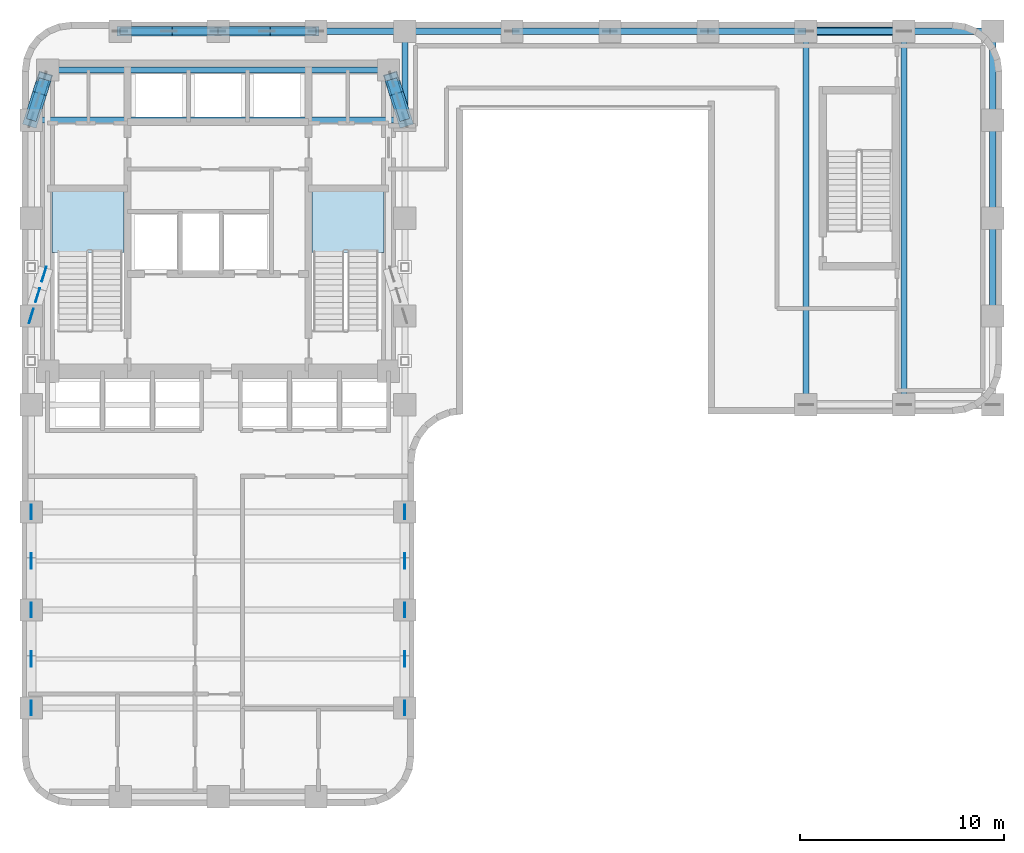
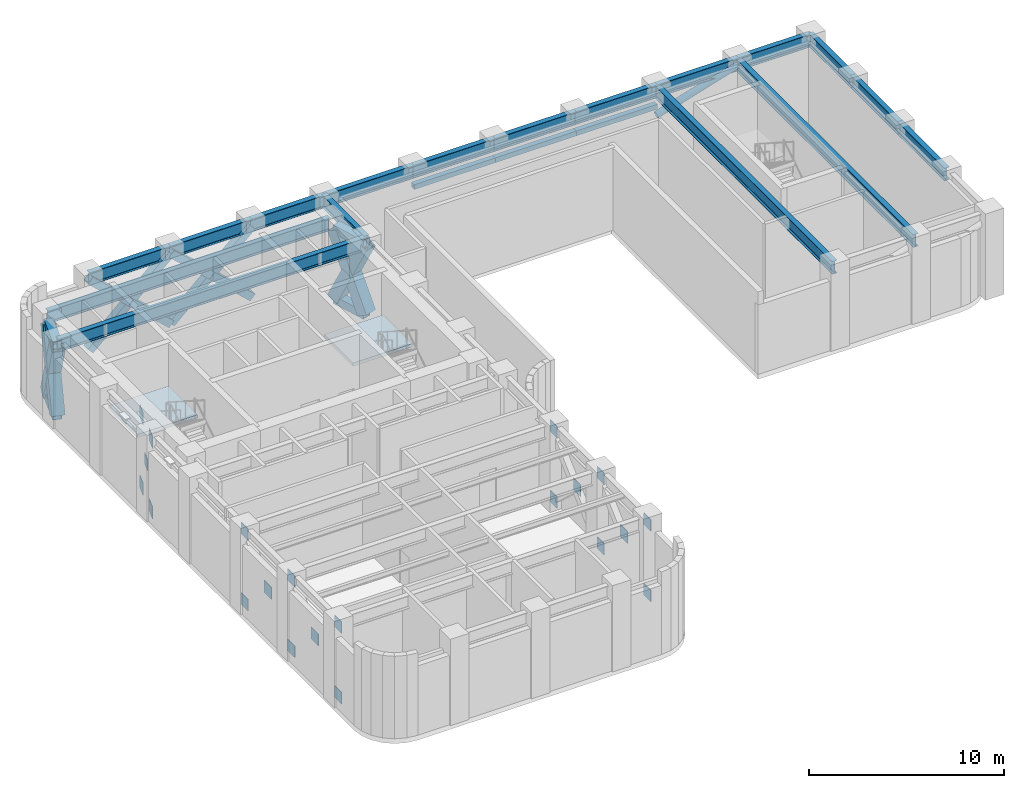
# One storey, part 2 of 9: 21 plates, 20 members, 17 beams, 2 slabs, 2 elements without a shape of their own.
"""IFC4 building model written with IfcOpenShell, lengths in metres."""

from ifc_helpers import new_model, si_unit, direction, frame, origin, origin_2d, place, context, subcontext, project, spatial, polyline, rectangle, hollow_rectangle, hollow_circle, i_section, outline, extrude, material, layer, layer_set, material_profile, profile_set, type_object, element, aggregate, save


model = new_model("IFC4")

# Units and contexts
model_context = context("Model", 3, precision=1e-05, world=origin(), true_north=direction((0.0, 1.0)))
body_context = subcontext(model_context, "Body", "Model", "MODEL_VIEW")
ifc_project = project(units=[si_unit("LENGTHUNIT", "METRE"), si_unit("AREAUNIT", "SQUARE_METRE"), si_unit("VOLUMEUNIT", "CUBIC_METRE"), si_unit("PLANEANGLEUNIT", "RADIAN"), si_unit("MASSUNIT", "GRAM", prefix="KILO")], contexts=[model_context])

# Site, building, storey
site_placement = place(None, origin())
site = spatial("IfcSite", under=ifc_project, at=site_placement, CompositionType="ELEMENT")
building_placement = place(site_placement, origin())
building = spatial("IfcBuilding", under=site, at=building_placement, Name="Orvandelia Arch Residences", CompositionType="ELEMENT")
storey_placement = place(building_placement, frame((0.0, 0.0, 101.800048828125)))
storey = spatial("IfcBuildingStorey", under=building, at=storey_placement, Name="L26", CompositionType="ELEMENT", Elevation=101.800048828125)

# Beams
ifc_material_1 = material(Name="Structural Steel SM355 (355 MPa)", Category="steel")
ifc_material_profile_1 = material_profile(ifc_material_1, i_section(OverallWidth=0.300048828125, OverallDepth=0.800048828125, WebThickness=0.013916015625, FlangeThickness=0.02587890625, FilletRadius=0.02587890625, at=origin_2d()), Name="Structural Steel SM355 (355 MPa)", Category="steel")
ifc_profile_set_1 = profile_set([ifc_material_profile_1], Name="Structural Steel SM355 (355 MPa)")
beam_type = type_object("IfcBeamType", Name="BM-GRD-H800", PredefinedType="BEAM", material=ifc_profile_set_1)
beam_1_placement = place(storey_placement, frame((23.550048828125, 43.199951171875, 4.760009765625), z_axis=(0.0, 1.0, 0.0), x_axis=(-1.0, 0.0, 0.0)))
element("IfcBeam", 1, at=beam_1_placement, inside=storey, type_object=beam_type, Name="Structural Frame Beam L26-NS-015", PredefinedType="BEAM", context=body_context, shape_type="SweptSolid", body=[
    extrude(i_section(OverallWidth=0.300048828125, OverallDepth=0.800048828125, WebThickness=0.013916015625, FlangeThickness=0.02587890625, FilletRadius=0.02587890625, at=origin_2d()), origin(), (0.0, 0.0, 1.0), 4.35009765625),
])
for number, where, z_axis, x_axis, name in (
    (2, (43.199951171875, 29.25, 4.760009765625), (0.0, 1.0, 0.0), (-1.0, 0.0, 0.0), "Structural Frame Beam L26-NS-016"),
    (3, (48.0, 29.25, 4.760009765625), (0.0, 1.0, 0.0), (-1.0, 0.0, 0.0), "Structural Frame Beam L26-NS-017"),
):
    element("IfcBeam", number, at=place(storey_placement, frame(where, z_axis=z_axis, x_axis=x_axis)), inside=storey, type_object=beam_type, Name=name, PredefinedType="BEAM", context=body_context, shape_type="SweptSolid", body=[
        extrude(i_section(OverallWidth=0.300048828125, OverallDepth=0.800048828125, WebThickness=0.013916015625, FlangeThickness=0.02587890625, FilletRadius=0.02587890625, at=origin_2d()), origin(), (0.0, 0.0, 1.0), 18.300048828125),
    ])
beam_2_placement = place(storey_placement, frame((52.35009765625, 33.60009765625, 4.760009765625), z_axis=(0.0, 1.0, 0.0), x_axis=(-1.0, 0.0, 0.0)))
element("IfcBeam", 4, at=beam_2_placement, inside=storey, type_object=beam_type, Name="Structural Frame Beam L26-NS-019", PredefinedType="BEAM", context=body_context, shape_type="SweptSolid", body=[
    extrude(i_section(OverallWidth=0.300048828125, OverallDepth=0.800048828125, WebThickness=0.013916015625, FlangeThickness=0.02587890625, FilletRadius=0.02587890625, at=origin_2d()), origin(), (0.0, 0.0, 1.0), 4.7998046875),
])
beam_3_placement = place(storey_placement, frame((52.35009765625, 38.39990234375, 4.760009765625), z_axis=(0.0, 1.0, 0.0), x_axis=(-1.0, 0.0, 0.0)))
element("IfcBeam", 5, at=beam_3_placement, inside=storey, type_object=beam_type, Name="Structural Frame Beam L26-NS-020", PredefinedType="BEAM", context=body_context, shape_type="SweptSolid", body=[
    extrude(i_section(OverallWidth=0.300048828125, OverallDepth=0.800048828125, WebThickness=0.013916015625, FlangeThickness=0.02587890625, FilletRadius=0.02587890625, at=origin_2d()), origin(), (0.0, 0.0, 1.0), 4.800048828125),
])
beam_4_placement = place(storey_placement, frame((52.35009765625, 43.199951171875, 4.760009765625), z_axis=(0.0, 1.0, 0.0), x_axis=(-1.0, 0.0, 0.0)))
element("IfcBeam", 6, at=beam_4_placement, inside=storey, type_object=beam_type, Name="Structural Frame Beam L26-NS-021", PredefinedType="BEAM", context=body_context, shape_type="SweptSolid", body=[
    extrude(i_section(OverallWidth=0.300048828125, OverallDepth=0.800048828125, WebThickness=0.013916015625, FlangeThickness=0.02587890625, FilletRadius=0.02587890625, at=origin_2d()), origin(), (0.0, 0.0, 1.0), 4.35009765625),
])
beam_5_placement = place(storey_placement, frame((5.25, 43.199951171875, 4.760009765625), z_axis=(1.0, 0.0, 0.0), x_axis=(0.0, 1.0, 0.0)))
element("IfcBeam", 7, at=beam_5_placement, inside=storey, type_object=beam_type, Name="Structural Frame Girder L26-EW-033", PredefinedType="BEAM", context=body_context, shape_type="SweptSolid", body=[
    extrude(i_section(OverallWidth=0.300048828125, OverallDepth=0.800048828125, WebThickness=0.013916015625, FlangeThickness=0.02587890625, FilletRadius=0.02587890625, at=origin_2d()), origin(), (0.0, 0.0, 1.0), 18.300048828125),
])
beam_6_placement = place(storey_placement, frame((6.050048828125, 45.64990234375, 4.760009765625), z_axis=(1.0, 0.0, 0.0), x_axis=(0.0, 1.0, 0.0)))
element("IfcBeam", 8, at=beam_6_placement, inside=storey, type_object=beam_type, Name="Structural Frame Girder L26-EW-034", PredefinedType="BEAM", context=body_context, shape_type="SweptSolid", body=[
    extrude(i_section(OverallWidth=0.300048828125, OverallDepth=0.800048828125, WebThickness=0.013916015625, FlangeThickness=0.02587890625, FilletRadius=0.02587890625, at=origin_2d()), origin(), (0.0, 0.0, 1.0), 16.699951171875),
])
beam_7_placement = place(storey_placement, frame((9.60009765625, 47.550048828125, 4.760009765625), z_axis=(1.0, 0.0, 0.0), x_axis=(0.0, 1.0, 0.0)))
element("IfcBeam", 9, at=beam_7_placement, inside=storey, type_object=beam_type, Name="Structural Frame Girder L26-EW-035", PredefinedType="BEAM", context=body_context, shape_type="SweptSolid", body=[
    extrude(i_section(OverallWidth=0.300048828125, OverallDepth=0.800048828125, WebThickness=0.013916015625, FlangeThickness=0.02587890625, FilletRadius=0.02587890625, at=origin_2d()), origin(), (0.0, 0.0, 1.0), 4.7998046875),
])
beam_8_placement = place(storey_placement, frame((14.39990234375, 47.550048828125, 4.760009765625), z_axis=(1.0, 0.0, 0.0), x_axis=(0.0, 1.0, 0.0)))
element("IfcBeam", 10, at=beam_8_placement, inside=storey, type_object=beam_type, Name="Structural Frame Girder L26-EW-036", PredefinedType="BEAM", context=body_context, shape_type="SweptSolid", body=[
    extrude(i_section(OverallWidth=0.300048828125, OverallDepth=0.800048828125, WebThickness=0.013916015625, FlangeThickness=0.02587890625, FilletRadius=0.02587890625, at=origin_2d()), origin(), (0.0, 0.0, 1.0), 4.800048828125),
])
beam_9_placement = place(storey_placement, frame((19.199951171875, 47.550048828125, 4.760009765625), z_axis=(1.0, 0.0, 0.0), x_axis=(0.0, 1.0, 0.0)))
element("IfcBeam", 11, at=beam_9_placement, inside=storey, type_object=beam_type, Name="Structural Frame Girder L26-EW-037", PredefinedType="BEAM", context=body_context, shape_type="SweptSolid", body=[
    extrude(i_section(OverallWidth=0.300048828125, OverallDepth=0.800048828125, WebThickness=0.013916015625, FlangeThickness=0.02587890625, FilletRadius=0.02587890625, at=origin_2d()), origin(), (0.0, 0.0, 1.0), 4.35009765625),
])
beam_10_placement = place(storey_placement, frame((23.550048828125, 47.550048828125, 4.760009765625), z_axis=(1.0, 0.0, 0.0), x_axis=(0.0, 1.0, 0.0)))
element("IfcBeam", 12, at=beam_10_placement, inside=storey, type_object=beam_type, Name="Structural Frame Girder L26-EW-038", PredefinedType="BEAM", context=body_context, shape_type="SweptSolid", body=[
    extrude(i_section(OverallWidth=0.300048828125, OverallDepth=0.800048828125, WebThickness=0.013916015625, FlangeThickness=0.02587890625, FilletRadius=0.02587890625, at=origin_2d()), origin(), (0.0, 0.0, 1.0), 5.25),
])
beam_11_placement = place(storey_placement, frame((28.800048828125, 47.550048828125, 4.760009765625), z_axis=(1.0, 0.0, 0.0), x_axis=(0.0, 1.0, 0.0)))
element("IfcBeam", 13, at=beam_11_placement, inside=storey, type_object=beam_type, Name="Structural Frame Girder L26-EW-039", PredefinedType="BEAM", context=body_context, shape_type="SweptSolid", body=[
    extrude(i_section(OverallWidth=0.300048828125, OverallDepth=0.800048828125, WebThickness=0.013916015625, FlangeThickness=0.02587890625, FilletRadius=0.02587890625, at=origin_2d()), origin(), (0.0, 0.0, 1.0), 4.800048828125),
])
beam_12_placement = place(storey_placement, frame((33.60009765625, 47.550048828125, 4.760009765625), z_axis=(1.0, 0.0, 0.0), x_axis=(0.0, 1.0, 0.0)))
element("IfcBeam", 14, at=beam_12_placement, inside=storey, type_object=beam_type, Name="Structural Frame Girder L26-EW-040", PredefinedType="BEAM", context=body_context, shape_type="SweptSolid", body=[
    extrude(i_section(OverallWidth=0.300048828125, OverallDepth=0.800048828125, WebThickness=0.013916015625, FlangeThickness=0.02587890625, FilletRadius=0.02587890625, at=origin_2d()), origin(), (0.0, 0.0, 1.0), 4.7998046875),
])
for number, where, z_axis, x_axis, name in (
    (15, (38.39990234375, 47.550048828125, 4.760009765625), (1.0, 0.0, 0.0), (0.0, 1.0, 0.0), "Structural Frame Girder L26-EW-041"),
    (16, (43.199951171875, 47.550048828125, 4.760009765625), (1.0, 0.0, 0.0), (0.0, 1.0, 0.0), "Structural Frame Girder L26-EW-042"),
):
    element("IfcBeam", number, at=place(storey_placement, frame(where, z_axis=z_axis, x_axis=x_axis)), inside=storey, type_object=beam_type, Name=name, PredefinedType="BEAM", context=body_context, shape_type="SweptSolid", body=[
        extrude(i_section(OverallWidth=0.300048828125, OverallDepth=0.800048828125, WebThickness=0.013916015625, FlangeThickness=0.02587890625, FilletRadius=0.02587890625, at=origin_2d()), origin(), (0.0, 0.0, 1.0), 4.800048828125),
    ])
beam_13_placement = place(storey_placement, frame((48.0, 47.550048828125, 4.760009765625), z_axis=(1.0, 0.0, 0.0), x_axis=(0.0, 1.0, 0.0)))
element("IfcBeam", 17, at=beam_13_placement, inside=storey, type_object=beam_type, Name="Structural Frame Girder L26-EW-043", PredefinedType="BEAM", context=body_context, shape_type="SweptSolid", body=[
    extrude(i_section(OverallWidth=0.300048828125, OverallDepth=0.800048828125, WebThickness=0.013916015625, FlangeThickness=0.02587890625, FilletRadius=0.02587890625, at=origin_2d()), origin(), (0.0, 0.0, 1.0), 4.35009765625),
])

# Members
ifc_material_2 = material(Name="Structural Steel HSA650 (650 MPa)", Category="steel")
ifc_material_profile_2 = material_profile(ifc_material_2, hollow_rectangle(XDim=0.449951171875, YDim=0.449951171875, WallThickness=0.02490234375, at=origin_2d()), Name="Structural Steel HSA650 (650 MPa)", Category="steel")
ifc_profile_set_2 = profile_set([ifc_material_profile_2], Name="Structural Steel HSA650 (650 MPa)")
member_type_1 = type_object("IfcMemberType", Name="MBR-BELT-DIAG", PredefinedType="BRACE", material=ifc_profile_set_2)
member_1_placement = place(storey_placement, frame((9.60009765625, 47.550048828125, 0.300048828125), z_axis=(0.736382493165, 0.0, 0.676565461548), x_axis=(0.0, 1.0, 0.0)))
element("IfcMember", 18, at=member_1_placement, inside=storey, type_object=member_type_1, Name="Perimeter Belt Truss Diagonal L26-BN-1-1", PredefinedType="BRACE", context=body_context, shape_type="SweptSolid", body=[
    extrude(hollow_rectangle(XDim=0.449951171875, YDim=0.449951171875, WallThickness=0.02490234375, at=origin_2d()), origin(), (0.0, 0.0, 1.0), 6.51806640625),
])
for number, where, z_axis, x_axis, name in (
    (19, (14.39990234375, 47.550048828125, 0.300048828125), (-0.73638831936, 0.0, 0.676559120189), (0.0, -1.0, 0.0), "Perimeter Belt Truss Split Diagonal Lower L26-BN-1-2A"),
    (20, (11.989013671875, 47.550048828125, 2.51513671875), (-0.73638831936, 0.0, 0.676559120189), (0.0, -1.0, 0.0), "Perimeter Belt Truss Split Diagonal Upper L26-BN-1-2B"),
):
    element("IfcMember", number, at=place(storey_placement, frame(where, z_axis=z_axis, x_axis=x_axis)), inside=storey, type_object=member_type_1, Name=name, PredefinedType="BRACE", context=body_context, shape_type="SweptSolid", body=[
        extrude(hollow_rectangle(XDim=0.449951171875, YDim=0.449951171875, WallThickness=0.02490234375, at=origin_2d()), origin(), (0.0, 0.0, 1.0), 3.244140625),
    ])
member_2_placement = place(storey_placement, frame((14.39990234375, 47.550048828125, 0.300048828125), z_axis=(0.736399637539, 0.0, 0.676546800919), x_axis=(0.0, 1.0, 0.0)))
element("IfcMember", 21, at=member_2_placement, inside=storey, type_object=member_type_1, Name="Perimeter Belt Truss Diagonal L26-BN-2-1", PredefinedType="BRACE", context=body_context, shape_type="SweptSolid", body=[
    extrude(hollow_rectangle(XDim=0.449951171875, YDim=0.449951171875, WallThickness=0.02490234375, at=origin_2d()), origin(), (0.0, 0.0, 1.0), 6.518310546875),
])
member_3_placement = place(storey_placement, frame((19.199951171875, 47.550048828125, 0.300048828125), z_axis=(-0.73638831936, 0.0, 0.676559120189), x_axis=(0.0, -1.0, 0.0)))
element("IfcMember", 22, at=member_3_placement, inside=storey, type_object=member_type_1, Name="Perimeter Belt Truss Split Diagonal Lower L26-BN-2-2A", PredefinedType="BRACE", context=body_context, shape_type="SweptSolid", body=[
    extrude(hollow_rectangle(XDim=0.449951171875, YDim=0.449951171875, WallThickness=0.02490234375, at=origin_2d()), origin(), (0.0, 0.0, 1.0), 3.244140625),
])
member_4_placement = place(storey_placement, frame((16.7890625, 47.550048828125, 2.51513671875), z_axis=(-0.736422763985, 0.0, 0.676521627655), x_axis=(0.0, -1.0, 0.0)))
element("IfcMember", 23, at=member_4_placement, inside=storey, type_object=member_type_1, Name="Perimeter Belt Truss Split Diagonal Upper L26-BN-2-2B", PredefinedType="BRACE", context=body_context, shape_type="SweptSolid", body=[
    extrude(hollow_rectangle(XDim=0.449951171875, YDim=0.449951171875, WallThickness=0.02490234375, at=origin_2d()), origin(), (0.0, 0.0, 1.0), 3.244384765625),
])
ifc_material_profile_3 = material_profile(ifc_material_1, hollow_rectangle(XDim=0.300048828125, YDim=0.300048828125, WallThickness=0.01611328125, at=origin_2d()), Name="Structural Steel SM355 (355 MPa)", Category="steel")
ifc_profile_set_3 = profile_set([ifc_material_profile_3], Name="Structural Steel SM355 (355 MPa)")
member_type_2 = type_object("IfcMemberType", Name="MBR-BRG-STRUT", PredefinedType="STRUT", material=ifc_profile_set_3)
member_5_placement = place(storey_placement, frame((28.800048828125, 47.550048828125, 3.800048828125), z_axis=(1.0, 0.0, 0.0), x_axis=(0.0, 1.0, 0.0)))
element("IfcMember", 24, at=member_5_placement, inside=storey, type_object=member_type_2, Name="Mechanical Deck Collector Strut BS-1", PredefinedType="STRUT", context=body_context, shape_type="SweptSolid", body=[
    extrude(hollow_rectangle(XDim=0.300048828125, YDim=0.300048828125, WallThickness=0.01611328125, at=origin_2d()), origin(), (0.0, 0.0, 1.0), 4.800048828125),
])
member_6_placement = place(storey_placement, frame((33.60009765625, 47.550048828125, 3.800048828125), z_axis=(1.0, 0.0, 0.0), x_axis=(0.0, 1.0, 0.0)))
element("IfcMember", 25, at=member_6_placement, inside=storey, type_object=member_type_2, Name="Mechanical Deck Collector Strut BS-2", PredefinedType="STRUT", context=body_context, shape_type="SweptSolid", body=[
    extrude(hollow_rectangle(XDim=0.300048828125, YDim=0.300048828125, WallThickness=0.01611328125, at=origin_2d()), origin(), (0.0, 0.0, 1.0), 4.7998046875),
])
member_7_placement = place(storey_placement, frame((38.39990234375, 47.550048828125, 3.800048828125), z_axis=(1.0, 0.0, 0.0), x_axis=(0.0, 1.0, 0.0)))
element("IfcMember", 26, at=member_7_placement, inside=storey, type_object=member_type_2, Name="Mechanical Deck Collector Strut BS-3", PredefinedType="STRUT", context=body_context, shape_type="SweptSolid", body=[
    extrude(hollow_rectangle(XDim=0.300048828125, YDim=0.300048828125, WallThickness=0.01611328125, at=origin_2d()), origin(), (0.0, 0.0, 1.0), 4.800048828125),
])
ifc_material_profile_4 = material_profile(ifc_material_2, hollow_circle(Radius=0.203125, WallThickness=0.01611328125, at=origin_2d()), Name="Structural Steel HSA650 (650 MPa)", Category="steel")
ifc_profile_set_4 = profile_set([ifc_material_profile_4], Name="Structural Steel HSA650 (650 MPa)")
member_type_3 = type_object("IfcMemberType", Name="MBR-NOTCH-STRUT", PredefinedType="STRUT", material=ifc_profile_set_4)
member_8_placement = place(storey_placement, frame((43.199951171875, 47.550048828125, 3.199951171875), z_axis=(0.956725136508, 0.0, 0.290993149703), x_axis=(0.0, 1.0, 0.0)))
element("IfcMember", 27, at=member_8_placement, inside=storey, type_object=member_type_3, Name="Faceted Sky-Garden Soffit Strut L26-3", PredefinedType="STRUT", context=body_context, shape_type="SweptSolid", body=[
    extrude(hollow_circle(Radius=0.203125, WallThickness=0.01611328125, at=origin_2d()), origin(), (0.0, 0.0, 1.0), 5.01708984375),
])
ifc_material_profile_5 = material_profile(ifc_material_2, hollow_rectangle(XDim=0.5, YDim=0.5, WallThickness=0.028076171875, at=origin_2d()), Name="Structural Steel HSA650 (650 MPa)", Category="steel")
ifc_profile_set_5 = profile_set([ifc_material_profile_5], Name="Structural Steel HSA650 (650 MPa)")
member_type_4 = type_object("IfcMemberType", Name="MBR-OUTRIGGER-CHORD", PredefinedType="CHORD", material=ifc_profile_set_5)
for number, where, z_axis, x_axis, name in (
    (28, (5.25, 43.199951171875, 0.300048828125), (0.300395730258, 0.953814659796, 0.0), (-0.953814659796, 0.300395730258, 0.0), "Outrigger Bottom Chord L26-OW-N"),
    (29, (5.25, 43.199951171875, 4.7099609375), (0.300395730258, 0.953814659796, 0.0), (-0.953814659796, 0.300395730258, 0.0), "Outrigger Top Chord L26-OW-N"),
    (30, (23.550048828125, 43.199951171875, 0.300048828125), (-0.30050165057, 0.95378129464, 0.0), (-0.95378129464, -0.30050165057, 0.0), "Outrigger Bottom Chord L26-OE-N"),
    (31, (23.550048828125, 43.199951171875, 4.7099609375), (-0.30050165057, 0.95378129464, 0.0), (-0.95378129464, -0.30050165057, 0.0), "Outrigger Top Chord L26-OE-N"),
):
    element("IfcMember", number, at=place(storey_placement, frame(where, z_axis=z_axis, x_axis=x_axis)), inside=storey, type_object=member_type_4, Name=name, PredefinedType="CHORD", context=body_context, shape_type="SweptSolid", body=[
        extrude(hollow_rectangle(XDim=0.5, YDim=0.5, WallThickness=0.028076171875, at=origin_2d()), origin(), (0.0, 0.0, 1.0), 2.096923828125),
    ])
ifc_material_profile_6 = material_profile(ifc_material_2, hollow_rectangle(XDim=0.699951171875, YDim=0.699951171875, WallThickness=0.0400390625, at=origin_2d()), Name="Structural Steel HSA650 (650 MPa)", Category="steel")
ifc_profile_set_6 = profile_set([ifc_material_profile_6], Name="Structural Steel HSA650 (650 MPa)")
member_type_5 = type_object("IfcMemberType", Name="MBR-OUTRIGGER-DIAG", PredefinedType="BRACE", material=ifc_profile_set_6)
member_9_placement = place(storey_placement, frame((5.25, 43.199951171875, 0.349853515625), z_axis=(0.131415781823, 0.417270575463, 0.899230314847), x_axis=(-0.953814659796, 0.300395730258, 0.0)))
element("IfcMember", 32, at=member_9_placement, inside=storey, type_object=member_type_5, Name="Outrigger Web Diagonal L26-OW-N-1", PredefinedType="BRACE", context=body_context, shape_type="SweptSolid", body=[
    extrude(hollow_rectangle(XDim=0.699951171875, YDim=0.699951171875, WallThickness=0.0400390625, at=origin_2d()), origin(), (0.0, 0.0, 1.0), 4.79296875),
])
member_10_placement = place(storey_placement, frame((5.8798828125, 45.199951171875, 0.349853515625), z_axis=(-0.131422282408, -0.417229866926, 0.899248253728), x_axis=(0.953802003461, -0.300435913621, 0.0)))
element("IfcMember", 33, at=member_10_placement, inside=storey, type_object=member_type_5, Name="Outrigger Split Diagonal Lower L26-OW-N-2A", PredefinedType="BRACE", context=body_context, shape_type="SweptSolid", body=[
    extrude(hollow_rectangle(XDim=0.699951171875, YDim=0.699951171875, WallThickness=0.0400390625, at=origin_2d()), origin(), (0.0, 0.0, 1.0), 2.381591796875),
])
member_11_placement = place(storey_placement, frame((5.56298828125, 44.193603515625, 2.5185546875), z_axis=(-0.131434398564, -0.417268332416, 0.899228634796), x_axis=(0.953802003461, -0.300435913621, 0.0)))
element("IfcMember", 34, at=member_11_placement, inside=storey, type_object=member_type_5, Name="Outrigger Split Diagonal Upper L26-OW-N-2B", PredefinedType="BRACE", context=body_context, shape_type="SweptSolid", body=[
    extrude(hollow_rectangle(XDim=0.699951171875, YDim=0.699951171875, WallThickness=0.0400390625, at=origin_2d()), origin(), (0.0, 0.0, 1.0), 2.38134765625),
])
member_12_placement = place(storey_placement, frame((23.550048828125, 43.199951171875, 0.349853515625), z_axis=(-0.131465837994, 0.417267781807, 0.899224294437), x_axis=(-0.95378129464, -0.30050165057, 0.0)))
element("IfcMember", 35, at=member_12_placement, inside=storey, type_object=member_type_5, Name="Outrigger Web Diagonal L26-OE-N-1", PredefinedType="BRACE", context=body_context, shape_type="SweptSolid", body=[
    extrude(hollow_rectangle(XDim=0.699951171875, YDim=0.699951171875, WallThickness=0.0400390625, at=origin_2d()), origin(), (0.0, 0.0, 1.0), 4.79296875),
])
member_13_placement = place(storey_placement, frame((22.919921875, 45.199951171875, 0.349853515625), z_axis=(0.131422282408, -0.417229866926, 0.899248253728), x_axis=(0.953802003461, 0.300435913621, 0.0)))
element("IfcMember", 36, at=member_13_placement, inside=storey, type_object=member_type_5, Name="Outrigger Split Diagonal Lower L26-OE-N-2A", PredefinedType="BRACE", context=body_context, shape_type="SweptSolid", body=[
    extrude(hollow_rectangle(XDim=0.699951171875, YDim=0.699951171875, WallThickness=0.0400390625, at=origin_2d()), origin(), (0.0, 0.0, 1.0), 2.381591796875),
])
member_14_placement = place(storey_placement, frame((23.237060546875, 44.193603515625, 2.5185546875), z_axis=(0.131434398564, -0.417268332416, 0.899228634796), x_axis=(0.953802003461, 0.300435913621, 0.0)))
element("IfcMember", 37, at=member_14_placement, inside=storey, type_object=member_type_5, Name="Outrigger Split Diagonal Upper L26-OE-N-2B", PredefinedType="BRACE", context=body_context, shape_type="SweptSolid", body=[
    extrude(hollow_rectangle(XDim=0.699951171875, YDim=0.699951171875, WallThickness=0.0400390625, at=origin_2d()), origin(), (0.0, 0.0, 1.0), 2.38134765625),
])

# Plates
ifc_layer_1 = layer(ifc_material_2, 0.0400390625, Name="Structural Steel HSA650 (650 MPa)", Category="steel")
ifc_layer_set_1 = layer_set([ifc_layer_1], Name="Structural Steel HSA650 (650 MPa)")
plate_type_1 = type_object("IfcPlateType", Name="PLT-GUSSET-720", PredefinedType="USERDEFINED", material=ifc_layer_set_1)
for number, where, z_axis, x_axis, name in (
    (38, (5.25, 14.39990234375, -0.06005859375), (0.0, 0.0, 1.0), (0.0, 1.0, 0.0), "Belt Truss End Gusset Plate L26-BW-1-ALO"),
    (39, (5.25, 19.199951171875, -0.06005859375), (0.0, 0.0, 1.0), (0.0, 1.0, 0.0), "Belt Truss End Gusset Plate L26-BW-1-BLO"),
    (40, (5.25, 14.39990234375, 4.35009765625), (0.0, 0.0, 1.0), (0.0, 1.0, 0.0), "Belt Truss End Gusset Plate L26-BW-1-AHI"),
    (41, (5.25, 19.199951171875, 4.35009765625), (0.0, 0.0, 1.0), (0.0, 1.0, 0.0), "Belt Truss End Gusset Plate L26-BW-1-BHI"),
    (42, (5.25, 24.0, -0.06005859375), (0.0, 0.0, 1.0), (0.0, 1.0, 0.0), "Belt Truss End Gusset Plate L26-BW-2-BLO"),
    (43, (5.25, 24.0, 4.35009765625), (0.0, 0.0, 1.0), (0.0, 1.0, 0.0), "Belt Truss End Gusset Plate L26-BW-2-BHI"),
    (44, (23.550048828125, 14.39990234375, -0.06005859375), (0.0, 0.0, 1.0), (0.0, 1.0, 0.0), "Belt Truss End Gusset Plate L26-BE-1-ALO"),
    (45, (23.550048828125, 19.199951171875, -0.06005859375), (0.0, 0.0, 1.0), (0.0, 1.0, 0.0), "Belt Truss End Gusset Plate L26-BE-1-BLO"),
    (46, (23.550048828125, 14.39990234375, 4.35009765625), (0.0, 0.0, 1.0), (0.0, 1.0, 0.0), "Belt Truss End Gusset Plate L26-BE-1-AHI"),
    (47, (23.550048828125, 19.199951171875, 4.35009765625), (0.0, 0.0, 1.0), (0.0, 1.0, 0.0), "Belt Truss End Gusset Plate L26-BE-1-BHI"),
    (48, (23.550048828125, 24.0, -0.06005859375), (0.0, 0.0, 1.0), (0.0, 1.0, 0.0), "Belt Truss End Gusset Plate L26-BE-2-BLO"),
    (49, (23.550048828125, 24.0, 4.35009765625), (0.0, 0.0, 1.0), (0.0, 1.0, 0.0), "Belt Truss End Gusset Plate L26-BE-2-BHI"),
):
    element("IfcPlate", number, at=place(storey_placement, frame(where, z_axis=z_axis, x_axis=x_axis)), inside=storey, type_object=plate_type_1, Name=name, ObjectType="GUSSET_PLATE", PredefinedType="USERDEFINED", context=body_context, shape_type="SweptSolid", body=[
        extrude(rectangle(XDim=0.719970703125, YDim=0.0400390625, at=origin_2d()), origin(), (0.0, 0.0, 1.0), 0.719970703125),
    ])
ifc_layer_2 = layer(ifc_material_2, 0.0400390625, Name="Structural Steel HSA650 (650 MPa)", Category="steel")
ifc_layer_set_2 = layer_set([ifc_layer_2], Name="Structural Steel HSA650 (650 MPa)")
plate_type_2 = type_object("IfcPlateType", Name="PLT-GUSSET-750", PredefinedType="USERDEFINED", material=ifc_layer_set_2)
for number, where, z_axis, x_axis, name in (
    (50, (5.25, 33.60009765625, -0.074951171875), (0.0, 0.0, 1.0), (0.293756722797, 0.955880216246, 0.0), "Outrigger End Gusset Plate L26-OW-S-ALO"),
    (51, (5.8798828125, 35.64990234375, -0.074951171875), (0.0, 0.0, 1.0), (0.293756722797, 0.955880216246, 0.0), "Outrigger End Gusset Plate L26-OW-S-BLO"),
    (52, (5.25, 33.60009765625, 4.3349609375), (0.0, 0.0, 1.0), (0.293756722797, 0.955880216246, 0.0), "Outrigger End Gusset Plate L26-OW-S-AHI"),
    (53, (5.8798828125, 35.64990234375, 4.3349609375), (0.0, 0.0, 1.0), (0.293756722797, 0.955880216246, 0.0), "Outrigger End Gusset Plate L26-OW-S-BHI"),
):
    element("IfcPlate", number, at=place(storey_placement, frame(where, z_axis=z_axis, x_axis=x_axis)), inside=storey, type_object=plate_type_2, Name=name, ObjectType="GUSSET_PLATE", PredefinedType="USERDEFINED", context=body_context, shape_type="SweptSolid", body=[
        extrude(rectangle(XDim=0.75, YDim=0.0400390625, at=origin_2d()), origin(), (0.0, 0.0, 1.0), 0.75),
    ])
ifc_layer_3 = layer(ifc_material_1, 0.035888671875, Name="Structural Steel SM355 (355 MPa)", Category="steel")
ifc_layer_set_3 = layer_set([ifc_layer_3], Name="Structural Steel SM355 (355 MPa)")
plate_type_3 = type_object("IfcPlateType", Name="PLT-NODE-700", PredefinedType="SHEET", material=ifc_layer_set_3)
plate_placement = place(storey_placement, frame((5.56494140625, 34.625, 2.15478515625), z_axis=(0.0, 0.0, 1.0), x_axis=(0.293756722797, 0.955880216246, 0.0)))
element("IfcPlate", 54, at=plate_placement, inside=storey, type_object=plate_type_3, Name="Outrigger X-Node Gusset Plate L26-OW-S", PredefinedType="SHEET", context=body_context, shape_type="SweptSolid", body=[
    extrude(rectangle(XDim=0.699951171875, YDim=0.035888671875, at=origin_2d()), origin(), (0.0, 0.0, 1.0), 0.699951171875),
])
ifc_layer_4 = layer(ifc_material_1, 0.035888671875, Name="Structural Steel SM355 (355 MPa)", Category="steel")
ifc_layer_set_4 = layer_set([ifc_layer_4], Name="Structural Steel SM355 (355 MPa)")
plate_type_4 = type_object("IfcPlateType", Name="PLT-NODE-750", PredefinedType="SHEET", material=ifc_layer_set_4)
for number, where, z_axis, x_axis, name in (
    (55, (5.25, 16.800048828125, 2.1298828125), (0.0, 0.0, 1.0), (0.0, 1.0, 0.0), "Belt Truss X-Node Gusset Plate L26-BW-1"),
    (56, (5.25, 21.60009765625, 2.1298828125), (0.0, 0.0, 1.0), (0.0, 1.0, 0.0), "Belt Truss X-Node Gusset Plate L26-BW-2"),
    (57, (23.550048828125, 16.800048828125, 2.1298828125), (0.0, 0.0, 1.0), (0.0, 1.0, 0.0), "Belt Truss X-Node Gusset Plate L26-BE-1"),
    (58, (23.550048828125, 21.60009765625, 2.1298828125), (0.0, 0.0, 1.0), (0.0, 1.0, 0.0), "Belt Truss X-Node Gusset Plate L26-BE-2"),
):
    element("IfcPlate", number, at=place(storey_placement, frame(where, z_axis=z_axis, x_axis=x_axis)), inside=storey, type_object=plate_type_4, Name=name, PredefinedType="SHEET", context=body_context, shape_type="SweptSolid", body=[
        extrude(rectangle(XDim=0.75, YDim=0.035888671875, at=origin_2d()), origin(), (0.0, 0.0, 1.0), 0.75),
    ])

# Stair, slab
ifc_material_3 = material(Name="Concrete C40/50", Category="concrete")
stair_type = type_object("IfcStairType", Name="STAIR-RC-DOGLEG", PredefinedType="HALF_TURN_STAIR", material=ifc_material_3)
stair_1_placement = place(storey_placement, origin())
stair_1 = element("IfcStair", 59, at=stair_1_placement, inside=storey, type_object=stair_type, Name="L26 Protected Exit Stair ST-1", PredefinedType="HALF_TURN_STAIR")
ifc_layer_5 = layer(ifc_material_3, 0.219970703125, Name="Concrete C40/50", Category="concrete")
ifc_layer_set_5 = layer_set([ifc_layer_5], Name="Concrete C40/50")
slab_type = type_object("IfcSlabType", Name="SLB-LANDING-220", PredefinedType="LANDING", material=ifc_layer_set_5)
slab_1_placement = place(storey_placement, frame((0.0, 0.0, 2.5)))
slab_1 = element("IfcSlab", 60, at=slab_1_placement, type_object=slab_type, Name="ST-1 landing 1", PredefinedType="LANDING", context=body_context, shape_type="SweptSolid", body=[
    extrude(outline(polyline([(9.800048828125, 36.7099609375), (9.800048828125, 39.68994140625), (6.260009765625, 39.68994140625), (6.260009765625, 36.7099609375), (9.800048828125, 36.7099609375)])), origin(), (0.0, 0.0, 1.0), 0.199951171875),
])
aggregate(stair_1, [slab_1])

stair_2_placement = place(storey_placement, origin())
stair_2 = element("IfcStair", 61, at=stair_2_placement, inside=storey, type_object=stair_type, Name="L26 Protected Exit Stair ST-2", PredefinedType="HALF_TURN_STAIR")
slab_2_placement = place(storey_placement, frame((0.0, 0.0, 2.5)))
slab_2 = element("IfcSlab", 62, at=slab_2_placement, type_object=slab_type, Name="ST-2 landing 1", PredefinedType="LANDING", context=body_context, shape_type="SweptSolid", body=[
    extrude(outline(polyline([(22.5400390625, 36.7099609375), (22.5400390625, 39.68994140625), (19.0, 39.68994140625), (19.0, 36.7099609375), (22.5400390625, 36.7099609375)])), origin(), (0.0, 0.0, 1.0), 0.199951171875),
])
aggregate(stair_2, [slab_2])

save(model, "model.ifc")
